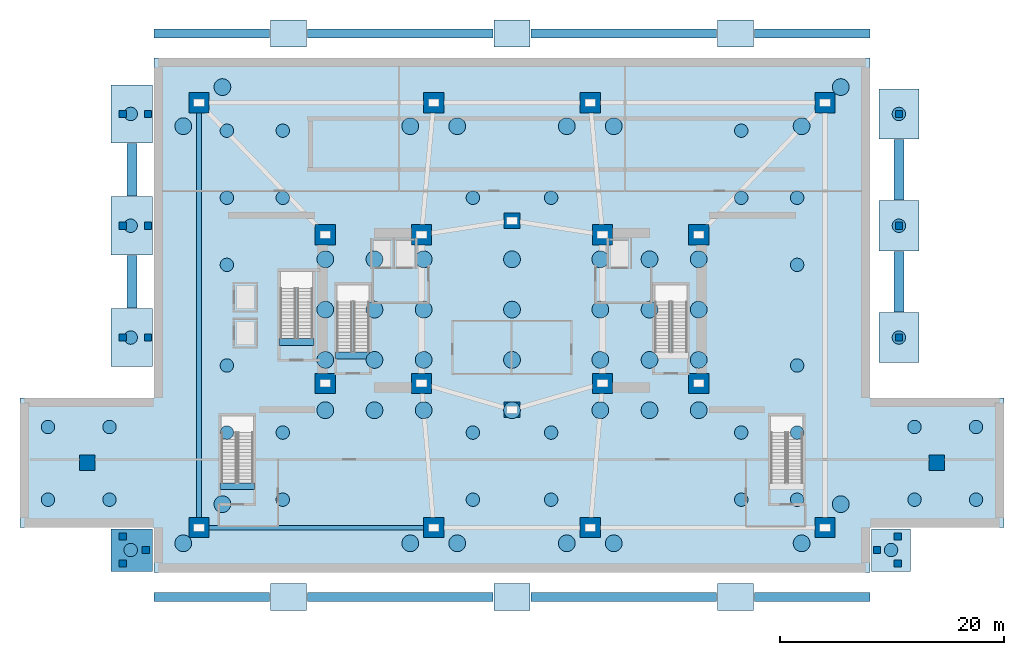
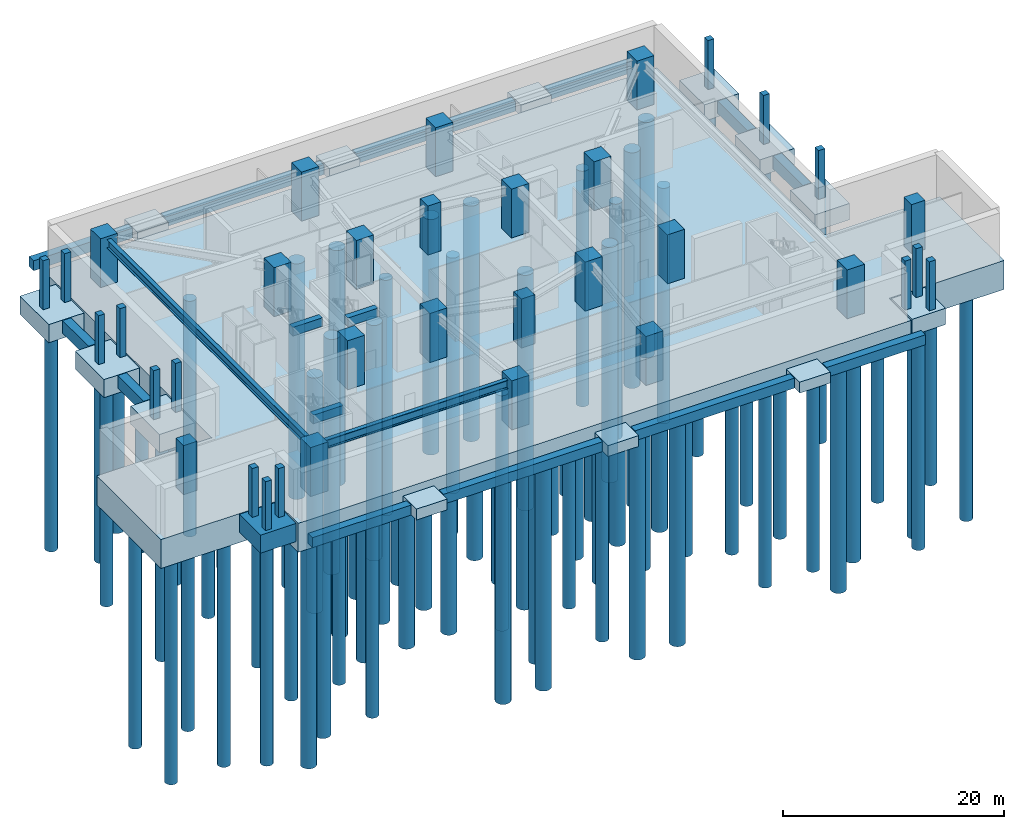
# One storey, part 1 of 9: 84 piles, 35 columns, 27 footings, 5 beams.
"""IFC4 building model written with IfcOpenShell, lengths in metres."""

from ifc_helpers import new_model, si_unit, direction, frame, origin, origin_2d, place, context, subcontext, project, spatial, polyline, rectangle, circle, i_section, outline, extrude, material, material_profile, profile_set, type_object, element, save


model = new_model("IFC4")

# Units and contexts
model_context = context("Model", 3, precision=1e-05, world=origin(), true_north=direction((0.0, 1.0)))
body_context = subcontext(model_context, "Body", "Model", "MODEL_VIEW")
ifc_project = project(units=[si_unit("LENGTHUNIT", "METRE"), si_unit("AREAUNIT", "SQUARE_METRE"), si_unit("VOLUMEUNIT", "CUBIC_METRE"), si_unit("PLANEANGLEUNIT", "RADIAN"), si_unit("MASSUNIT", "GRAM", prefix="KILO")], contexts=[model_context])

# Site, building, storey
site_placement = place(None, origin())
site = spatial("IfcSite", under=ifc_project, at=site_placement, CompositionType="ELEMENT")
building_placement = place(site_placement, origin())
building = spatial("IfcBuilding", under=site, at=building_placement, Name="Solvane Sanctuary Tower", CompositionType="ELEMENT")
storey_placement = place(building_placement, frame((0.0, 0.0, -10.800048828125)))
storey = spatial("IfcBuildingStorey", under=building, at=storey_placement, Name="B02", CompositionType="ELEMENT", Elevation=-10.800048828125)

# Footings
ifc_material_1 = material(Name="Concrete C50/60", Category="concrete")
footing_type_1 = type_object("IfcFootingType", Name="Footing FT-CAP-A", PredefinedType="PILE_CAP", material=ifc_material_1)
for number, where, z_axis, x_axis, name in (
    (1, (-2.0, 21.0, -2.0), (0.0, 0.0, 1.0), (1.0, 0.0, 0.0), "West Colonnade Pile Cap A1"),
    (2, (-2.0, 31.0, -2.0), (0.0, 0.0, 1.0), (1.0, 0.0, 0.0), "West Colonnade Pile Cap A2"),
    (3, (-2.0, 41.0, -2.0), (0.0, 0.0, 1.0), (1.0, 0.0, 0.0), "West Colonnade Pile Cap A3"),
):
    element("IfcFooting", number, at=place(storey_placement, frame(where, z_axis=z_axis, x_axis=x_axis)), inside=storey, type_object=footing_type_1, Name=name, PredefinedType="PILE_CAP", context=body_context, shape_type="SweptSolid", body=[
        extrude(rectangle(XDim=3.699951171875, YDim=5.199951171875, at=origin_2d()), origin(), (0.0, 0.0, 1.0), 2.0),
    ])
footing_1_placement = place(storey_placement, frame((-2.0, 2.0, -2.0), z_axis=(0.0, 0.0, 1.0), x_axis=(1.0, 0.0, 0.0)))
element("IfcFooting", 4, at=footing_1_placement, inside=storey, type_object=footing_type_1, Name="B02 South-West Apron Pile Cap", PredefinedType="PILE_CAP", context=body_context, shape_type="SweptSolid", body=[
    extrude(rectangle(XDim=3.699951171875, YDim=3.800048828125, at=origin_2d()), origin(), (0.0, 0.0, 1.0), 2.0),
])
footing_type_2 = type_object("IfcFootingType", Name="Footing FT-CAP-B", PredefinedType="PILE_CAP", material=ifc_material_1)
for number, where, z_axis, x_axis, name in (
    (5, (66.60009765625, 21.0, -1.7998046875), (0.0, 0.0, 1.0), (1.0, 0.0, 0.0), "East Colonnade Pile Cap B1"),
    (6, (66.60009765625, 31.0, -1.7998046875), (0.0, 0.0, 1.0), (1.0, 0.0, 0.0), "East Colonnade Pile Cap B2"),
    (7, (66.60009765625, 41.0, -1.7998046875), (0.0, 0.0, 1.0), (1.0, 0.0, 0.0), "East Colonnade Pile Cap B3"),
):
    element("IfcFooting", number, at=place(storey_placement, frame(where, z_axis=z_axis, x_axis=x_axis)), inside=storey, type_object=footing_type_2, Name=name, PredefinedType="PILE_CAP", context=body_context, shape_type="SweptSolid", body=[
        extrude(rectangle(XDim=3.60009765625, YDim=4.5, at=origin_2d()), origin(), (0.0, 0.0, 1.0), 1.800048828125),
    ])
footing_2_placement = place(storey_placement, frame((65.89990234375, 2.0, -1.7998046875), z_axis=(0.0, 0.0, 1.0), x_axis=(1.0, 0.0, 0.0)))
element("IfcFooting", 8, at=footing_2_placement, inside=storey, type_object=footing_type_2, Name="B02 South-East Apron Pile Cap", PredefinedType="PILE_CAP", context=body_context, shape_type="SweptSolid", body=[
    extrude(rectangle(XDim=3.5, YDim=3.800048828125, at=origin_2d()), origin(), (0.0, 0.0, 1.0), 1.800048828125),
])
footing_type_3 = type_object("IfcFootingType", Name="Footing FT-GBEAM-900", PredefinedType="FOOTING_BEAM", material=ifc_material_1)
footing_3_placement = place(storey_placement, frame((0.0, 0.0, -1.39990234375)))
element("IfcFooting", 9, at=footing_3_placement, inside=storey, type_object=footing_type_3, Name="West Colonnade Ground Beam 1", PredefinedType="FOOTING_BEAM", context=body_context, shape_type="SweptSolid", body=[
    extrude(outline(polyline([(-2.449951171875, 23.64990234375), (-1.550048828125, 23.64990234375), (-1.550048828125, 28.35009765625), (-2.449951171875, 28.35009765625), (-2.449951171875, 23.64990234375)])), origin(), (0.0, 0.0, 1.0), 1.39990234375),
])
footing_4_placement = place(storey_placement, frame((0.0, 0.0, -1.39990234375)))
element("IfcFooting", 10, at=footing_4_placement, inside=storey, type_object=footing_type_3, Name="East Colonnade Ground Beam 1", PredefinedType="FOOTING_BEAM", context=body_context, shape_type="SweptSolid", body=[
    extrude(outline(polyline([(66.14990234375, 23.300048828125), (67.050048828125, 23.300048828125), (67.050048828125, 28.699951171875), (66.14990234375, 28.699951171875), (66.14990234375, 23.300048828125)])), origin(), (0.0, 0.0, 1.0), 1.39990234375),
])
footing_5_placement = place(storey_placement, frame((0.0, 0.0, -1.39990234375)))
element("IfcFooting", 11, at=footing_5_placement, inside=storey, type_object=footing_type_3, Name="West Colonnade Ground Beam 2", PredefinedType="FOOTING_BEAM", context=body_context, shape_type="SweptSolid", body=[
    extrude(outline(polyline([(-2.449951171875, 33.64990234375), (-1.550048828125, 33.64990234375), (-1.550048828125, 38.35009765625), (-2.449951171875, 38.35009765625), (-2.449951171875, 33.64990234375)])), origin(), (0.0, 0.0, 1.0), 1.39990234375),
])
footing_6_placement = place(storey_placement, frame((0.0, 0.0, -1.39990234375)))
element("IfcFooting", 12, at=footing_6_placement, inside=storey, type_object=footing_type_3, Name="East Colonnade Ground Beam 2", PredefinedType="FOOTING_BEAM", context=body_context, shape_type="SweptSolid", body=[
    extrude(outline(polyline([(66.14990234375, 33.300048828125), (67.050048828125, 33.300048828125), (67.050048828125, 38.699951171875), (66.14990234375, 38.699951171875), (66.14990234375, 33.300048828125)])), origin(), (0.0, 0.0, 1.0), 1.39990234375),
])
footing_type_4 = type_object("IfcFootingType", Name="Footing FT-PAD-C", PredefinedType="PAD_FOOTING", material=ifc_material_1)
for number, where, z_axis, x_axis, name in (
    (13, (12.0, -2.199951171875, -1.19970703125), (0.0, 0.0, 1.0), (1.0, 0.0, 0.0), "South Plaza Pad Footing S1"),
    (14, (12.0, 48.199951171875, -1.19970703125), (0.0, 0.0, 1.0), (1.0, 0.0, 0.0), "North Plaza Pad Footing N1"),
    (15, (32.0, -2.199951171875, -1.19970703125), (0.0, 0.0, 1.0), (1.0, 0.0, 0.0), "South Plaza Pad Footing S2"),
    (16, (32.0, 48.199951171875, -1.19970703125), (0.0, 0.0, 1.0), (1.0, 0.0, 0.0), "North Plaza Pad Footing N2"),
    (17, (52.0, -2.199951171875, -1.19970703125), (0.0, 0.0, 1.0), (1.0, 0.0, 0.0), "South Plaza Pad Footing S3"),
    (18, (52.0, 48.199951171875, -1.19970703125), (0.0, 0.0, 1.0), (1.0, 0.0, 0.0), "North Plaza Pad Footing N3"),
):
    element("IfcFooting", number, at=place(storey_placement, frame(where, z_axis=z_axis, x_axis=x_axis)), inside=storey, type_object=footing_type_4, Name=name, PredefinedType="PAD_FOOTING", context=body_context, shape_type="SweptSolid", body=[
        extrude(rectangle(XDim=3.199951171875, YDim=2.39990234375, at=origin_2d()), origin(), (0.0, 0.0, 1.0), 1.199951171875),
    ])
footing_type_5 = type_object("IfcFootingType", Name="Footing FT-RAFT-3200", PredefinedType="CAISSON_FOUNDATION", material=ifc_material_1)
footing_7_placement = place(storey_placement, frame((0.0, 0.0, -3.199951171875)))
element("IfcFooting", 19, at=footing_7_placement, inside=storey, type_object=footing_type_5, Name="B02 Monolithic Piled Raft Foundation", PredefinedType="CAISSON_FOUNDATION", context=body_context, shape_type="SweptSolid", body=[
    extrude(outline(polyline([(0.0, 0.0), (64.0, 0.0), (64.0, 4.0), (76.0, 4.0), (76.0, 15.60009765625), (64.0, 15.60009765625), (64.0, 46.0), (0.0, 46.0), (0.0, 15.60009765625), (-12.0, 15.60009765625), (-12.0, 4.0), (0.0, 4.0), (0.0, 0.0)])), origin(), (0.0, 0.0, 1.0), 3.199951171875),
])
footing_type_6 = type_object("IfcFootingType", Name="Footing FT-STRIP-800", PredefinedType="STRIP_FOOTING", material=ifc_material_1)
footing_8_placement = place(storey_placement, frame((0.0, 0.0, -1.099853515625)))
element("IfcFooting", 20, at=footing_8_placement, inside=storey, type_object=footing_type_6, Name="South Plaza Strip Footing 1", PredefinedType="STRIP_FOOTING", context=body_context, shape_type="SweptSolid", body=[
    extrude(outline(polyline([(0.0, -2.60009765625), (10.300048828125, -2.60009765625), (10.300048828125, -1.800048828125), (0.0, -1.800048828125), (0.0, -2.60009765625)])), origin(), (0.0, 0.0, 1.0), 1.099853515625),
])
footing_9_placement = place(storey_placement, frame((0.0, 0.0, -1.099853515625)))
element("IfcFooting", 21, at=footing_9_placement, inside=storey, type_object=footing_type_6, Name="North Plaza Strip Footing 1", PredefinedType="STRIP_FOOTING", context=body_context, shape_type="SweptSolid", body=[
    extrude(outline(polyline([(0.0, 47.800048828125), (10.300048828125, 47.800048828125), (10.300048828125, 48.60009765625), (0.0, 48.60009765625), (0.0, 47.800048828125)])), origin(), (0.0, 0.0, 1.0), 1.099853515625),
])
footing_10_placement = place(storey_placement, frame((0.0, 0.0, -1.099853515625)))
element("IfcFooting", 22, at=footing_10_placement, inside=storey, type_object=footing_type_6, Name="South Plaza Strip Footing 2", PredefinedType="STRIP_FOOTING", context=body_context, shape_type="SweptSolid", body=[
    extrude(outline(polyline([(13.699951171875, -2.60009765625), (30.300048828125, -2.60009765625), (30.300048828125, -1.800048828125), (13.699951171875, -1.800048828125), (13.699951171875, -2.60009765625)])), origin(), (0.0, 0.0, 1.0), 1.099853515625),
])
footing_11_placement = place(storey_placement, frame((0.0, 0.0, -1.099853515625)))
element("IfcFooting", 23, at=footing_11_placement, inside=storey, type_object=footing_type_6, Name="North Plaza Strip Footing 2", PredefinedType="STRIP_FOOTING", context=body_context, shape_type="SweptSolid", body=[
    extrude(outline(polyline([(13.699951171875, 47.800048828125), (30.300048828125, 47.800048828125), (30.300048828125, 48.60009765625), (13.699951171875, 48.60009765625), (13.699951171875, 47.800048828125)])), origin(), (0.0, 0.0, 1.0), 1.099853515625),
])
footing_12_placement = place(storey_placement, frame((0.0, 0.0, -1.099853515625)))
element("IfcFooting", 24, at=footing_12_placement, inside=storey, type_object=footing_type_6, Name="South Plaza Strip Footing 3", PredefinedType="STRIP_FOOTING", context=body_context, shape_type="SweptSolid", body=[
    extrude(outline(polyline([(33.699951171875, -2.60009765625), (50.300048828125, -2.60009765625), (50.300048828125, -1.800048828125), (33.699951171875, -1.800048828125), (33.699951171875, -2.60009765625)])), origin(), (0.0, 0.0, 1.0), 1.099853515625),
])
footing_13_placement = place(storey_placement, frame((0.0, 0.0, -1.099853515625)))
element("IfcFooting", 25, at=footing_13_placement, inside=storey, type_object=footing_type_6, Name="North Plaza Strip Footing 3", PredefinedType="STRIP_FOOTING", context=body_context, shape_type="SweptSolid", body=[
    extrude(outline(polyline([(33.699951171875, 47.800048828125), (50.300048828125, 47.800048828125), (50.300048828125, 48.60009765625), (33.699951171875, 48.60009765625), (33.699951171875, 47.800048828125)])), origin(), (0.0, 0.0, 1.0), 1.099853515625),
])
footing_14_placement = place(storey_placement, frame((0.0, 0.0, -1.099853515625)))
element("IfcFooting", 26, at=footing_14_placement, inside=storey, type_object=footing_type_6, Name="South Plaza Strip Footing 4", PredefinedType="STRIP_FOOTING", context=body_context, shape_type="SweptSolid", body=[
    extrude(outline(polyline([(53.699951171875, -2.60009765625), (64.0, -2.60009765625), (64.0, -1.800048828125), (53.699951171875, -1.800048828125), (53.699951171875, -2.60009765625)])), origin(), (0.0, 0.0, 1.0), 1.099853515625),
])
footing_15_placement = place(storey_placement, frame((0.0, 0.0, -1.099853515625)))
element("IfcFooting", 27, at=footing_15_placement, inside=storey, type_object=footing_type_6, Name="North Plaza Strip Footing 4", PredefinedType="STRIP_FOOTING", context=body_context, shape_type="SweptSolid", body=[
    extrude(outline(polyline([(53.699951171875, 47.800048828125), (64.0, 47.800048828125), (64.0, 48.60009765625), (53.699951171875, 48.60009765625), (53.699951171875, 47.800048828125)])), origin(), (0.0, 0.0, 1.0), 1.099853515625),
])

# Piles
ifc_material_2 = material(Name="Concrete C45/55", Category="concrete")
ifc_material_profile_1 = material_profile(ifc_material_2, circle(Radius=0.60009765625, at=origin_2d()), Name="PILE1200")
ifc_profile_set_1 = profile_set([ifc_material_profile_1], Name="Concrete C45/55")
pile_type_1 = type_object("IfcPileType", Name="Pile P-1200", PredefinedType="BORED", material=ifc_profile_set_1)
for number, where, z_axis, x_axis, name in (
    (28, (6.5, 12.5, -3.050048828125), (0.0, 0.0, -1.0), (1.0, 0.0, 0.0), "Bored Pile 045"),
    (29, (6.5, 18.5, -3.050048828125), (0.0, 0.0, -1.0), (1.0, 0.0, 0.0), "Bored Pile 046"),
    (30, (6.5, 27.5, -3.050048828125), (0.0, 0.0, -1.0), (1.0, 0.0, 0.0), "Bored Pile 047"),
    (31, (6.5, 33.5, -3.050048828125), (0.0, 0.0, -1.0), (1.0, 0.0, 0.0), "Bored Pile 048"),
    (32, (6.5, 39.5, -3.050048828125), (0.0, 0.0, -1.0), (1.0, 0.0, 0.0), "Bored Pile 049"),
    (33, (11.5, 6.5, -3.050048828125), (0.0, 0.0, -1.0), (1.0, 0.0, 0.0), "Bored Pile 050"),
    (34, (11.5, 12.5, -3.050048828125), (0.0, 0.0, -1.0), (1.0, 0.0, 0.0), "Bored Pile 051"),
    (35, (11.5, 33.5, -3.050048828125), (0.0, 0.0, -1.0), (1.0, 0.0, 0.0), "Bored Pile 052"),
    (36, (11.5, 39.5, -3.050048828125), (0.0, 0.0, -1.0), (1.0, 0.0, 0.0), "Bored Pile 053"),
    (37, (28.5, 6.5, -3.050048828125), (0.0, 0.0, -1.0), (1.0, 0.0, 0.0), "Bored Pile 054"),
    (38, (28.5, 12.5, -3.050048828125), (0.0, 0.0, -1.0), (1.0, 0.0, 0.0), "Bored Pile 055"),
    (39, (28.5, 33.5, -3.050048828125), (0.0, 0.0, -1.0), (1.0, 0.0, 0.0), "Bored Pile 056"),
    (40, (35.5, 6.5, -3.050048828125), (0.0, 0.0, -1.0), (1.0, 0.0, 0.0), "Bored Pile 057"),
    (41, (35.5, 12.5, -3.050048828125), (0.0, 0.0, -1.0), (1.0, 0.0, 0.0), "Bored Pile 058"),
    (42, (35.5, 33.5, -3.050048828125), (0.0, 0.0, -1.0), (1.0, 0.0, 0.0), "Bored Pile 059"),
    (43, (52.5, 6.5, -3.050048828125), (0.0, 0.0, -1.0), (1.0, 0.0, 0.0), "Bored Pile 060"),
    (44, (52.5, 12.5, -3.050048828125), (0.0, 0.0, -1.0), (1.0, 0.0, 0.0), "Bored Pile 061"),
    (45, (52.5, 33.5, -3.050048828125), (0.0, 0.0, -1.0), (1.0, 0.0, 0.0), "Bored Pile 062"),
    (46, (52.5, 39.5, -3.050048828125), (0.0, 0.0, -1.0), (1.0, 0.0, 0.0), "Bored Pile 063"),
    (47, (57.5, 6.5, -3.050048828125), (0.0, 0.0, -1.0), (1.0, 0.0, 0.0), "Bored Pile 064"),
    (48, (57.5, 12.5, -3.050048828125), (0.0, 0.0, -1.0), (1.0, 0.0, 0.0), "Bored Pile 065"),
    (49, (57.5, 18.5, -3.050048828125), (0.0, 0.0, -1.0), (1.0, 0.0, 0.0), "Bored Pile 066"),
    (50, (57.5, 27.5, -3.050048828125), (0.0, 0.0, -1.0), (1.0, 0.0, 0.0), "Bored Pile 067"),
    (51, (57.5, 33.5, -3.050048828125), (0.0, 0.0, -1.0), (1.0, 0.0, 0.0), "Bored Pile 068"),
    (52, (-9.5, 6.5, -3.050048828125), (0.0, 0.0, -1.0), (1.0, 0.0, 0.0), "Bored Pile 069"),
    (53, (-9.5, 13.0, -3.050048828125), (0.0, 0.0, -1.0), (1.0, 0.0, 0.0), "Bored Pile 070"),
    (54, (-4.0, 6.5, -3.050048828125), (0.0, 0.0, -1.0), (1.0, 0.0, 0.0), "Bored Pile 071"),
    (55, (-4.0, 13.0, -3.050048828125), (0.0, 0.0, -1.0), (1.0, 0.0, 0.0), "Bored Pile 072"),
    (56, (68.0, 6.5, -3.050048828125), (0.0, 0.0, -1.0), (1.0, 0.0, 0.0), "Bored Pile 073"),
    (57, (68.0, 13.0, -3.050048828125), (0.0, 0.0, -1.0), (1.0, 0.0, 0.0), "Bored Pile 074"),
    (58, (73.5, 6.5, -3.050048828125), (0.0, 0.0, -1.0), (1.0, 0.0, 0.0), "Bored Pile 075"),
    (59, (73.5, 13.0, -3.050048828125), (0.0, 0.0, -1.0), (1.0, 0.0, 0.0), "Bored Pile 076"),
):
    element("IfcPile", number, at=place(storey_placement, frame(where, z_axis=z_axis, x_axis=x_axis)), inside=storey, type_object=pile_type_1, Name=name, PredefinedType="BORED", context=body_context, shape_type="SweptSolid", body=[
        extrude(circle(Radius=0.60009765625, at=origin_2d()), origin(), (0.0, 0.0, 1.0), 26.0),
    ])
pile_1_placement = place(storey_placement, frame((-2.10009765625, 21.0, -1.849853515625), z_axis=(0.0, 0.0, -1.0), x_axis=(1.0, 0.0, 0.0)))
element("IfcPile", 60, at=pile_1_placement, inside=storey, type_object=pile_type_1, Name="Bored Pile 077", PredefinedType="BORED", context=body_context, shape_type="SweptSolid", body=[
    extrude(circle(Radius=0.60009765625, at=origin_2d()), origin(), (0.0, 0.0, 1.0), 25.0),
])
pile_2_placement = place(storey_placement, frame((66.60009765625, 21.0, -1.64990234375), z_axis=(0.0, 0.0, -1.0), x_axis=(1.0, 0.0, 0.0)))
element("IfcPile", 61, at=pile_2_placement, inside=storey, type_object=pile_type_1, Name="Bored Pile 078", PredefinedType="BORED", context=body_context, shape_type="SweptSolid", body=[
    extrude(circle(Radius=0.60009765625, at=origin_2d()), origin(), (0.0, 0.0, 1.0), 25.199951171875),
])
pile_3_placement = place(storey_placement, frame((-2.10009765625, 31.0, -1.849853515625), z_axis=(0.0, 0.0, -1.0), x_axis=(1.0, 0.0, 0.0)))
element("IfcPile", 62, at=pile_3_placement, inside=storey, type_object=pile_type_1, Name="Bored Pile 079", PredefinedType="BORED", context=body_context, shape_type="SweptSolid", body=[
    extrude(circle(Radius=0.60009765625, at=origin_2d()), origin(), (0.0, 0.0, 1.0), 25.0),
])
pile_4_placement = place(storey_placement, frame((66.60009765625, 31.0, -1.64990234375), z_axis=(0.0, 0.0, -1.0), x_axis=(1.0, 0.0, 0.0)))
element("IfcPile", 63, at=pile_4_placement, inside=storey, type_object=pile_type_1, Name="Bored Pile 080", PredefinedType="BORED", context=body_context, shape_type="SweptSolid", body=[
    extrude(circle(Radius=0.60009765625, at=origin_2d()), origin(), (0.0, 0.0, 1.0), 25.199951171875),
])
pile_5_placement = place(storey_placement, frame((-2.10009765625, 41.0, -1.849853515625), z_axis=(0.0, 0.0, -1.0), x_axis=(1.0, 0.0, 0.0)))
element("IfcPile", 64, at=pile_5_placement, inside=storey, type_object=pile_type_1, Name="Bored Pile 081", PredefinedType="BORED", context=body_context, shape_type="SweptSolid", body=[
    extrude(circle(Radius=0.60009765625, at=origin_2d()), origin(), (0.0, 0.0, 1.0), 25.0),
])
pile_6_placement = place(storey_placement, frame((66.60009765625, 41.0, -1.64990234375), z_axis=(0.0, 0.0, -1.0), x_axis=(1.0, 0.0, 0.0)))
element("IfcPile", 65, at=pile_6_placement, inside=storey, type_object=pile_type_1, Name="Bored Pile 082", PredefinedType="BORED", context=body_context, shape_type="SweptSolid", body=[
    extrude(circle(Radius=0.60009765625, at=origin_2d()), origin(), (0.0, 0.0, 1.0), 25.199951171875),
])
pile_7_placement = place(storey_placement, frame((-2.10009765625, 2.0, -1.849853515625), z_axis=(0.0, 0.0, -1.0), x_axis=(1.0, 0.0, 0.0)))
element("IfcPile", 66, at=pile_7_placement, inside=storey, type_object=pile_type_1, Name="Bored Pile 083", PredefinedType="BORED", context=body_context, shape_type="SweptSolid", body=[
    extrude(circle(Radius=0.60009765625, at=origin_2d()), origin(), (0.0, 0.0, 1.0), 25.0),
])
pile_8_placement = place(storey_placement, frame((65.89990234375, 2.0, -1.64990234375), z_axis=(0.0, 0.0, -1.0), x_axis=(1.0, 0.0, 0.0)))
element("IfcPile", 67, at=pile_8_placement, inside=storey, type_object=pile_type_1, Name="Bored Pile 084", PredefinedType="BORED", context=body_context, shape_type="SweptSolid", body=[
    extrude(circle(Radius=0.60009765625, at=origin_2d()), origin(), (0.0, 0.0, 1.0), 25.199951171875),
])
ifc_material_profile_2 = material_profile(ifc_material_2, circle(Radius=0.75, at=origin_2d()), Name="PILE1500")
ifc_profile_set_2 = profile_set([ifc_material_profile_2], Name="Concrete C45/55")
pile_type_2 = type_object("IfcPileType", Name="Pile P-1500", PredefinedType="BORED", material=ifc_profile_set_2)
for number, where, z_axis, x_axis, name in (
    (68, (15.300048828125, 14.5, -3.050048828125), (0.0, 0.0, -1.0), (1.0, 0.0, 0.0), "Bored Pile 001"),
    (69, (15.300048828125, 19.0, -3.050048828125), (0.0, 0.0, -1.0), (1.0, 0.0, 0.0), "Bored Pile 002"),
    (70, (15.300048828125, 23.5, -3.050048828125), (0.0, 0.0, -1.0), (1.0, 0.0, 0.0), "Bored Pile 003"),
    (71, (15.300048828125, 28.0, -3.050048828125), (0.0, 0.0, -1.0), (1.0, 0.0, 0.0), "Bored Pile 004"),
    (72, (19.699951171875, 14.5, -3.050048828125), (0.0, 0.0, -1.0), (1.0, 0.0, 0.0), "Bored Pile 005"),
    (73, (19.699951171875, 19.0, -3.050048828125), (0.0, 0.0, -1.0), (1.0, 0.0, 0.0), "Bored Pile 006"),
    (74, (19.699951171875, 23.5, -3.050048828125), (0.0, 0.0, -1.0), (1.0, 0.0, 0.0), "Bored Pile 007"),
    (75, (19.699951171875, 28.0, -3.050048828125), (0.0, 0.0, -1.0), (1.0, 0.0, 0.0), "Bored Pile 008"),
    (76, (24.10009765625, 14.5, -3.050048828125), (0.0, 0.0, -1.0), (1.0, 0.0, 0.0), "Bored Pile 009"),
    (77, (24.10009765625, 19.0, -3.050048828125), (0.0, 0.0, -1.0), (1.0, 0.0, 0.0), "Bored Pile 010"),
    (78, (24.10009765625, 23.5, -3.050048828125), (0.0, 0.0, -1.0), (1.0, 0.0, 0.0), "Bored Pile 011"),
    (79, (24.10009765625, 28.0, -3.050048828125), (0.0, 0.0, -1.0), (1.0, 0.0, 0.0), "Bored Pile 012"),
    (80, (32.0, 14.5, -3.050048828125), (0.0, 0.0, -1.0), (1.0, 0.0, 0.0), "Bored Pile 013"),
    (81, (32.0, 19.0, -3.050048828125), (0.0, 0.0, -1.0), (1.0, 0.0, 0.0), "Bored Pile 014"),
    (82, (32.0, 23.5, -3.050048828125), (0.0, 0.0, -1.0), (1.0, 0.0, 0.0), "Bored Pile 015"),
    (83, (32.0, 28.0, -3.050048828125), (0.0, 0.0, -1.0), (1.0, 0.0, 0.0), "Bored Pile 016"),
    (84, (39.89990234375, 14.5, -3.050048828125), (0.0, 0.0, -1.0), (1.0, 0.0, 0.0), "Bored Pile 017"),
    (85, (39.89990234375, 19.0, -3.050048828125), (0.0, 0.0, -1.0), (1.0, 0.0, 0.0), "Bored Pile 018"),
    (86, (39.89990234375, 23.5, -3.050048828125), (0.0, 0.0, -1.0), (1.0, 0.0, 0.0), "Bored Pile 019"),
    (87, (39.89990234375, 28.0, -3.050048828125), (0.0, 0.0, -1.0), (1.0, 0.0, 0.0), "Bored Pile 020"),
    (88, (44.300048828125, 14.5, -3.050048828125), (0.0, 0.0, -1.0), (1.0, 0.0, 0.0), "Bored Pile 021"),
    (89, (44.300048828125, 19.0, -3.050048828125), (0.0, 0.0, -1.0), (1.0, 0.0, 0.0), "Bored Pile 022"),
    (90, (44.300048828125, 23.5, -3.050048828125), (0.0, 0.0, -1.0), (1.0, 0.0, 0.0), "Bored Pile 023"),
    (91, (44.300048828125, 28.0, -3.050048828125), (0.0, 0.0, -1.0), (1.0, 0.0, 0.0), "Bored Pile 024"),
    (92, (48.699951171875, 14.5, -3.050048828125), (0.0, 0.0, -1.0), (1.0, 0.0, 0.0), "Bored Pile 025"),
    (93, (48.699951171875, 19.0, -3.050048828125), (0.0, 0.0, -1.0), (1.0, 0.0, 0.0), "Bored Pile 026"),
    (94, (48.699951171875, 23.5, -3.050048828125), (0.0, 0.0, -1.0), (1.0, 0.0, 0.0), "Bored Pile 027"),
    (95, (48.699951171875, 28.0, -3.050048828125), (0.0, 0.0, -1.0), (1.0, 0.0, 0.0), "Bored Pile 028"),
    (96, (2.60009765625, 2.60009765625, -3.050048828125), (0.0, 0.0, -1.0), (1.0, 0.0, 0.0), "Bored Pile 029"),
    (97, (6.10009765625, 6.10009765625, -3.050048828125), (0.0, 0.0, -1.0), (1.0, 0.0, 0.0), "Bored Pile 030"),
    (98, (22.89990234375, 2.60009765625, -3.050048828125), (0.0, 0.0, -1.0), (1.0, 0.0, 0.0), "Bored Pile 031"),
    (99, (27.10009765625, 2.60009765625, -3.050048828125), (0.0, 0.0, -1.0), (1.0, 0.0, 0.0), "Bored Pile 032"),
    (100, (36.89990234375, 2.60009765625, -3.050048828125), (0.0, 0.0, -1.0), (1.0, 0.0, 0.0), "Bored Pile 033"),
    (101, (41.10009765625, 2.60009765625, -3.050048828125), (0.0, 0.0, -1.0), (1.0, 0.0, 0.0), "Bored Pile 034"),
    (102, (57.89990234375, 2.60009765625, -3.050048828125), (0.0, 0.0, -1.0), (1.0, 0.0, 0.0), "Bored Pile 035"),
    (103, (61.39990234375, 6.10009765625, -3.050048828125), (0.0, 0.0, -1.0), (1.0, 0.0, 0.0), "Bored Pile 036"),
    (104, (57.89990234375, 39.89990234375, -3.050048828125), (0.0, 0.0, -1.0), (1.0, 0.0, 0.0), "Bored Pile 037"),
    (105, (61.39990234375, 43.39990234375, -3.050048828125), (0.0, 0.0, -1.0), (1.0, 0.0, 0.0), "Bored Pile 038"),
    (106, (36.89990234375, 39.89990234375, -3.050048828125), (0.0, 0.0, -1.0), (1.0, 0.0, 0.0), "Bored Pile 039"),
    (107, (41.10009765625, 39.89990234375, -3.050048828125), (0.0, 0.0, -1.0), (1.0, 0.0, 0.0), "Bored Pile 040"),
    (108, (22.89990234375, 39.89990234375, -3.050048828125), (0.0, 0.0, -1.0), (1.0, 0.0, 0.0), "Bored Pile 041"),
    (109, (27.10009765625, 39.89990234375, -3.050048828125), (0.0, 0.0, -1.0), (1.0, 0.0, 0.0), "Bored Pile 042"),
    (110, (2.60009765625, 39.89990234375, -3.050048828125), (0.0, 0.0, -1.0), (1.0, 0.0, 0.0), "Bored Pile 043"),
    (111, (6.10009765625, 43.39990234375, -3.050048828125), (0.0, 0.0, -1.0), (1.0, 0.0, 0.0), "Bored Pile 044"),
):
    element("IfcPile", number, at=place(storey_placement, frame(where, z_axis=z_axis, x_axis=x_axis)), inside=storey, type_object=pile_type_2, Name=name, PredefinedType="BORED", context=body_context, shape_type="SweptSolid", body=[
        extrude(circle(Radius=0.75, at=origin_2d()), origin(), (0.0, 0.0, 1.0), 26.0),
    ])

# Columns
ifc_material_profile_3 = material_profile(ifc_material_1, rectangle(XDim=0.64990234375, YDim=0.64990234375, at=origin_2d()), Name="RC650X650")
ifc_profile_set_3 = profile_set([ifc_material_profile_3], Name="Concrete C50/60")
column_type_1 = type_object("IfcColumnType", Name="Column C-COL-ARC RC650X650", PredefinedType="PILASTER", material=ifc_profile_set_3)
for number, where, z_axis, x_axis, name in (
    (112, (-2.800048828125, 0.800048828125, 0.0), (0.0, 0.0, 1.0), (1.0, 0.0, 0.0), "B02 Plaza Apron Support Pier WS1"),
    (113, (-2.800048828125, 3.199951171875, 0.0), (0.0, 0.0, 1.0), (1.0, 0.0, 0.0), "B02 Plaza Apron Support Pier WS2"),
    (114, (-0.75, 2.0, 0.0), (0.0, 0.0, 1.0), (1.0, 0.0, 0.0), "B02 Plaza Apron Support Pier WS3"),
    (115, (66.5, 0.800048828125, 0.0), (0.0, 0.0, 1.0), (1.0, 0.0, 0.0), "B02 Plaza Apron Support Pier ES1"),
    (116, (66.5, 3.199951171875, 0.0), (0.0, 0.0, 1.0), (1.0, 0.0, 0.0), "B02 Plaza Apron Support Pier ES2"),
    (117, (64.64990234375, 2.0, 0.0), (0.0, 0.0, 1.0), (1.0, 0.0, 0.0), "B02 Plaza Apron Support Pier ES3"),
    (118, (-2.800048828125, 21.0, 0.0), (0.0, 0.0, 1.0), (1.0, 0.0, 0.0), "B02 West Colonnade Outer Pilaster W1"),
    (119, (-0.550048828125, 21.0, 0.0), (0.0, 0.0, 1.0), (1.0, 0.0, 0.0), "B02 West Colonnade Inner Pilaster W1"),
    (120, (66.60009765625, 21.0, 0.0), (0.0, 0.0, 1.0), (1.0, 0.0, 0.0), "B02 East Colonnade Pilaster E1"),
    (121, (-2.800048828125, 31.0, 0.0), (0.0, 0.0, 1.0), (1.0, 0.0, 0.0), "B02 West Colonnade Outer Pilaster W2"),
    (122, (-0.550048828125, 31.0, 0.0), (0.0, 0.0, 1.0), (1.0, 0.0, 0.0), "B02 West Colonnade Inner Pilaster W2"),
    (123, (66.60009765625, 31.0, 0.0), (0.0, 0.0, 1.0), (1.0, 0.0, 0.0), "B02 East Colonnade Pilaster E2"),
    (124, (-2.800048828125, 41.0, 0.0), (0.0, 0.0, 1.0), (1.0, 0.0, 0.0), "B02 West Colonnade Outer Pilaster W3"),
    (125, (-0.550048828125, 41.0, 0.0), (0.0, 0.0, 1.0), (1.0, 0.0, 0.0), "B02 West Colonnade Inner Pilaster W3"),
    (126, (66.60009765625, 41.0, 0.0), (0.0, 0.0, 1.0), (1.0, 0.0, 0.0), "B02 East Colonnade Pilaster E3"),
):
    element("IfcColumn", number, at=place(storey_placement, frame(where, z_axis=z_axis, x_axis=x_axis)), inside=storey, type_object=column_type_1, Name=name, PredefinedType="PILASTER", context=body_context, shape_type="SweptSolid", body=[
        extrude(rectangle(XDim=0.64990234375, YDim=0.64990234375, at=origin_2d()), origin(), (0.0, 0.0, 1.0), 5.400146484375),
    ])
ifc_material_3 = material(Name="Concrete C70/85", Category="concrete")
ifc_material_profile_4 = material_profile(ifc_material_3, rectangle(XDim=1.800048828125, YDim=1.800048828125, at=origin_2d()), Name="RC1800X1800")
ifc_profile_set_4 = profile_set([ifc_material_profile_4], Name="Concrete C70/85")
column_type_2 = type_object("IfcColumnType", Name="Column C-MEGA RC1800X1800", PredefinedType="COLUMN", material=ifc_profile_set_4)
for number, where, z_axis, x_axis, name in (
    (127, (15.300048828125, 16.89990234375, 0.0), (0.0, 0.0, 1.0), (1.0, 0.0, 0.0), "B02 Core Corner Column CW1"),
    (128, (23.89990234375, 16.89990234375, 0.0), (0.0, 0.0, 1.0), (1.0, 0.0, 0.0), "B02 Core Corner Column CW2"),
    (129, (23.89990234375, 30.199951171875, 0.0), (0.0, 0.0, 1.0), (1.0, 0.0, 0.0), "B02 Core Corner Column CW3"),
    (130, (15.300048828125, 30.199951171875, 0.0), (0.0, 0.0, 1.0), (1.0, 0.0, 0.0), "B02 Core Corner Column CW4"),
    (131, (40.10009765625, 16.89990234375, 0.0), (0.0, 0.0, 1.0), (1.0, 0.0, 0.0), "B02 Core Corner Column CE1"),
    (132, (48.699951171875, 16.89990234375, 0.0), (0.0, 0.0, 1.0), (1.0, 0.0, 0.0), "B02 Core Corner Column CE2"),
    (133, (48.699951171875, 30.199951171875, 0.0), (0.0, 0.0, 1.0), (1.0, 0.0, 0.0), "B02 Core Corner Column CE3"),
    (134, (40.10009765625, 30.199951171875, 0.0), (0.0, 0.0, 1.0), (1.0, 0.0, 0.0), "B02 Core Corner Column CE4"),
    (135, (4.0, 4.0, 0.0), (0.0, 0.0, 1.0), (1.0, 0.0, 0.0), "B02 Podium Mega-Column MC1"),
    (136, (25.0, 4.0, 0.0), (0.0, 0.0, 1.0), (1.0, 0.0, 0.0), "B02 Podium Mega-Column MC2"),
    (137, (39.0, 4.0, 0.0), (0.0, 0.0, 1.0), (1.0, 0.0, 0.0), "B02 Podium Mega-Column MC3"),
    (138, (60.0, 4.0, 0.0), (0.0, 0.0, 1.0), (1.0, 0.0, 0.0), "B02 Podium Mega-Column MC4"),
    (139, (60.0, 42.0, 0.0), (0.0, 0.0, 1.0), (1.0, 0.0, 0.0), "B02 Podium Mega-Column MC5"),
    (140, (39.0, 42.0, 0.0), (0.0, 0.0, 1.0), (1.0, 0.0, 0.0), "B02 Podium Mega-Column MC6"),
    (141, (25.0, 42.0, 0.0), (0.0, 0.0, 1.0), (1.0, 0.0, 0.0), "B02 Podium Mega-Column MC7"),
    (142, (4.0, 42.0, 0.0), (0.0, 0.0, 1.0), (1.0, 0.0, 0.0), "B02 Podium Mega-Column MC8"),
):
    element("IfcColumn", number, at=place(storey_placement, frame(where, z_axis=z_axis, x_axis=x_axis)), inside=storey, type_object=column_type_2, Name=name, PredefinedType="COLUMN", context=body_context, shape_type="SweptSolid", body=[
        extrude(rectangle(XDim=1.800048828125, YDim=1.800048828125, at=origin_2d()), origin(), (0.0, 0.0, 1.0), 5.400146484375),
    ])
ifc_material_profile_5 = material_profile(ifc_material_3, rectangle(XDim=1.39990234375, YDim=1.39990234375, at=origin_2d()), Name="RC1400X1400")
ifc_profile_set_5 = profile_set([ifc_material_profile_5], Name="Concrete C70/85")
column_type_3 = type_object("IfcColumnType", Name="Column C-POD-INT RC1400X1400", PredefinedType="COLUMN", material=ifc_profile_set_5)
for number, where, z_axis, x_axis, name in (
    (143, (-6.0, 9.800048828125, 0.0), (0.0, 0.0, 1.0), (1.0, 0.0, 0.0), "B02 Metro Platform Column MW1"),
    (144, (70.0, 9.800048828125, 0.0), (0.0, 0.0, 1.0), (1.0, 0.0, 0.0), "B02 Metro Platform Column ME1"),
    (145, (32.0, 14.5400390625, 0.0), (0.0, 0.0, 1.0), (1.0, 0.0, 0.0), "B02 Podium Transfer Spine Column PCS"),
    (146, (32.0, 31.4599609375, 0.0), (0.0, 0.0, 1.0), (1.0, 0.0, 0.0), "B02 Podium Transfer Spine Column PCN"),
):
    element("IfcColumn", number, at=place(storey_placement, frame(where, z_axis=z_axis, x_axis=x_axis)), inside=storey, type_object=column_type_3, Name=name, PredefinedType="COLUMN", context=body_context, shape_type="SweptSolid", body=[
        extrude(rectangle(XDim=1.39990234375, YDim=1.39990234375, at=origin_2d()), origin(), (0.0, 0.0, 1.0), 5.400146484375),
    ])

# Beams
ifc_material_profile_6 = material_profile(ifc_material_3, rectangle(XDim=0.60009765625, YDim=0.949951171875, at=origin_2d()), Name="RC600X950")
ifc_profile_set_6 = profile_set([ifc_material_profile_6], Name="Concrete C70/85")
beam_type_1 = type_object("IfcBeamType", Name="Beam B-COUPLE RC600X950", PredefinedType="LINTEL", material=ifc_profile_set_6)
for number, where, z_axis, x_axis, name in (
    (147, (16.22998046875, 19.399169921875, 4.925048828125), (1.0, 0.0, 0.0), (0.0, 1.0, 0.0), "B02 ST-1 Stair Floor Landing Trimmer"),
    (148, (11.169921875, 20.59912109375, 4.925048828125), (1.0, 0.0, 0.0), (0.0, 1.0, 0.0), "B02 ST-3 Stair Floor Landing Trimmer"),
):
    element("IfcBeam", number, at=place(storey_placement, frame(where, z_axis=z_axis, x_axis=x_axis)), inside=storey, type_object=beam_type_1, Name=name, PredefinedType="LINTEL", context=body_context, shape_type="SweptSolid", body=[
        extrude(rectangle(XDim=0.60009765625, YDim=0.949951171875, at=origin_2d()), origin(), (0.0, 0.0, 1.0), 3.1201171875),
    ])
beam_1_placement = place(storey_placement, frame((5.8701171875, 7.69921875, 4.925048828125), z_axis=(1.0, 0.0, 0.0), x_axis=(0.0, 1.0, 0.0)))
element("IfcBeam", 149, at=beam_1_placement, inside=storey, type_object=beam_type_1, Name="B02 ST-4 Stair Floor Landing Trimmer", PredefinedType="LINTEL", context=body_context, shape_type="SweptSolid", body=[
    extrude(rectangle(XDim=0.60009765625, YDim=0.949951171875, at=origin_2d()), origin(), (0.0, 0.0, 1.0), 3.119873046875),
])
ifc_material_4 = material(Name="Steel ASTM A913 Grade 65", Category="steel")
ifc_material_profile_7 = material_profile(ifc_material_4, i_section(OverallWidth=0.423095703125, OverallDepth=0.947998046875, WebThickness=0.02392578125, FlangeThickness=0.042724609375, FilletRadius=0.02392578125, at=origin_2d()), Name="W36X302")
ifc_profile_set_7 = profile_set([ifc_material_profile_7], Name="Steel ASTM A913 Grade 65")
beam_type_2 = type_object("IfcBeamType", Name="Beam B-POD-GIRD W36X302", PredefinedType="BEAM", material=ifc_profile_set_7)
beam_2_placement = place(storey_placement, frame((4.35009765625, 4.0, 4.60400390625), z_axis=(1.0, 0.0, 0.0), x_axis=(0.0, 1.0, 0.0)))
element("IfcBeam", 150, at=beam_2_placement, inside=storey, type_object=beam_type_2, Name="B02 Podium Primary Girder PG1", PredefinedType="BEAM", context=body_context, shape_type="SweptSolid", body=[
    extrude(i_section(OverallWidth=0.423095703125, OverallDepth=0.947998046875, WebThickness=0.02392578125, FlangeThickness=0.042724609375, FilletRadius=0.02392578125, at=origin_2d()), origin(), (0.0, 0.0, 1.0), 20.2998046875),
])
beam_3_placement = place(storey_placement, frame((4.0, 41.64990234375, 4.60400390625), z_axis=(0.0, -1.0, 0.0), x_axis=(1.0, 0.0, 0.0)))
element("IfcBeam", 151, at=beam_3_placement, inside=storey, type_object=beam_type_2, Name="B02 Podium Primary Girder PG8", PredefinedType="BEAM", context=body_context, shape_type="SweptSolid", body=[
    extrude(i_section(OverallWidth=0.423095703125, OverallDepth=0.947998046875, WebThickness=0.02392578125, FlangeThickness=0.042724609375, FilletRadius=0.02392578125, at=origin_2d()), origin(), (0.0, 0.0, 1.0), 37.2998046875),
])

save(model, "model.ifc")
